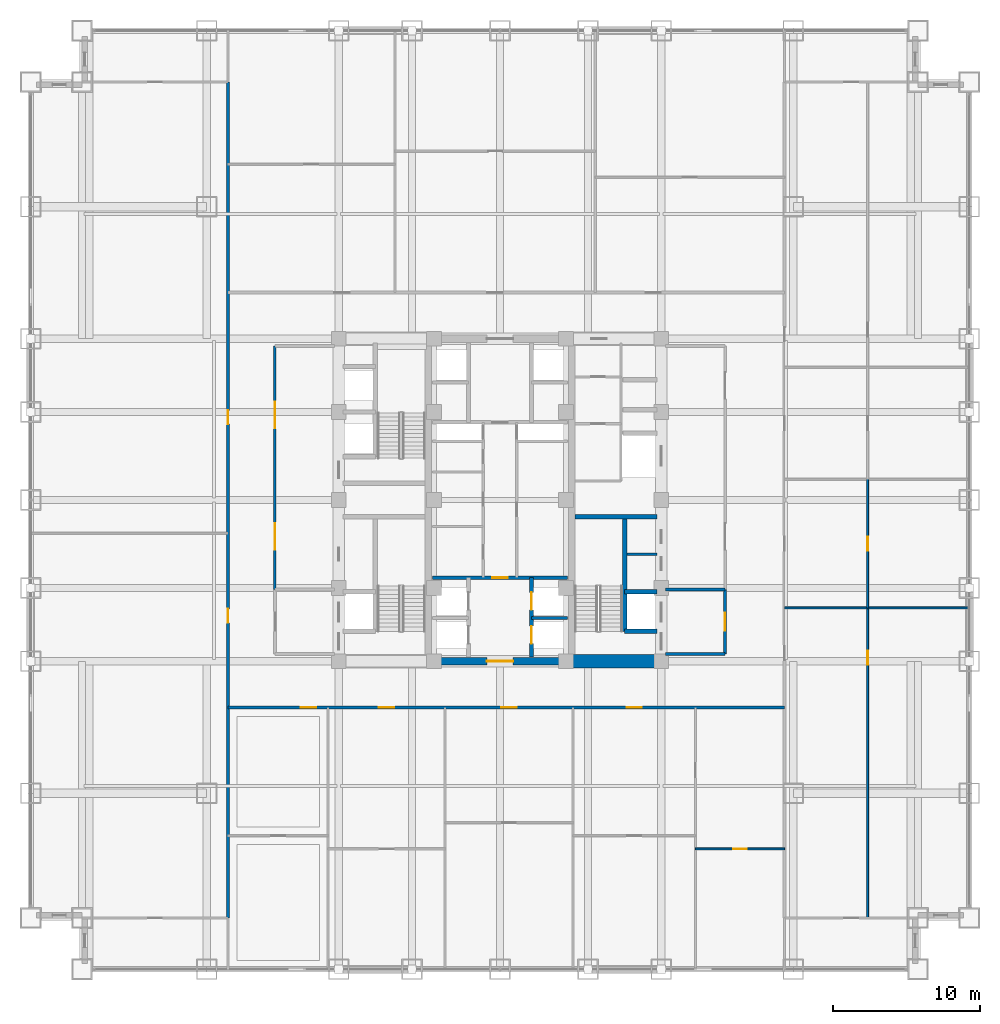
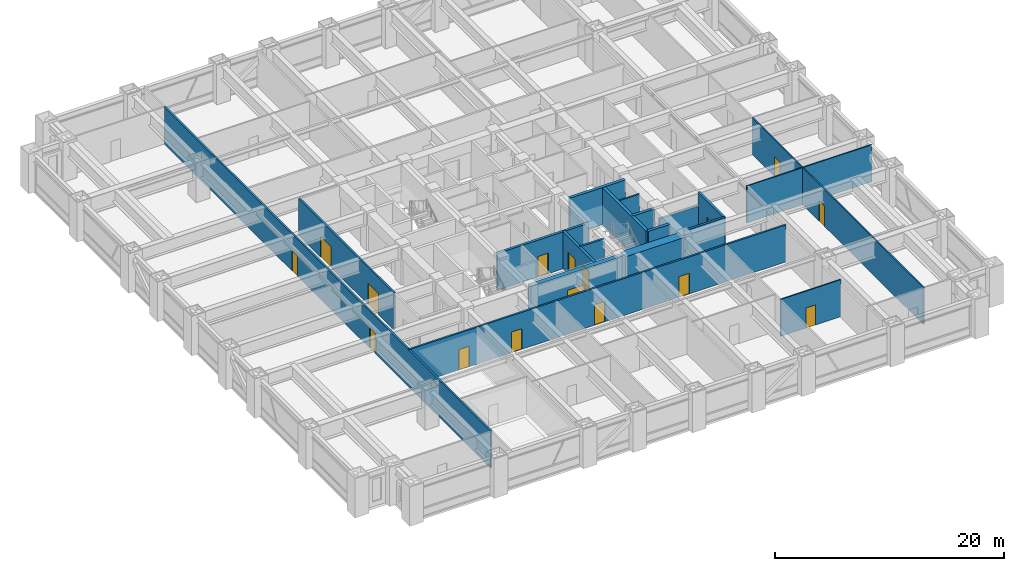
# One storey, part 24 of 29: 20 walls, 16 doors, 16 openings.
"""IFC4 building model written with IfcOpenShell, lengths in metres."""

from ifc_helpers import new_model, si_unit, direction, frame, frame_2d, origin, place, context, subcontext, project, spatial, rectangle, extrude, source, transform, mapped, material, layer, layer_set, type_object, element, fill, save


model = new_model("IFC4")

# Units and contexts
model_context = context("Model", 3, precision=1e-05, world=origin(), true_north=direction((0.0, 1.0)))
body_context = subcontext(model_context, "Body", "Model", "MODEL_VIEW")
ifc_project = project(units=[si_unit("LENGTHUNIT", "METRE"), si_unit("AREAUNIT", "SQUARE_METRE"), si_unit("VOLUMEUNIT", "CUBIC_METRE"), si_unit("PLANEANGLEUNIT", "RADIAN"), si_unit("MASSUNIT", "GRAM", prefix="KILO")], contexts=[model_context])

# Site, building, storey
site_placement = place(None, origin())
site = spatial("IfcSite", under=ifc_project, at=site_placement, CompositionType="ELEMENT")
building_placement = place(site_placement, origin())
building = spatial("IfcBuilding", under=site, at=building_placement, Name="Khorayat Bourse Tower", CompositionType="ELEMENT")
storey_placement = place(building_placement, frame((0.0, 0.0, 87.199951171875)))
storey = spatial("IfcBuildingStorey", under=building, at=storey_placement, Name="L19", CompositionType="ELEMENT", Elevation=87.199951171875)

# Walls
ifc_material_1 = material(Name="Concrete C72/90", Category="concrete")
ifc_layer_1 = layer(ifc_material_1, 0.89990234375)
ifc_layer_set_1 = layer_set([ifc_layer_1], Name="Concrete C72/90")
wall_type_1 = type_object("IfcWallType", Name="WAL-CORE-900", PredefinedType="SHEAR", material=ifc_layer_set_1)
shared_shape_1 = source(origin(), body_context, "Body", "SweptSolid", [
    extrude(rectangle(XDim=5.849853515625, YDim=0.89990234375, at=frame_2d((2.9248046875, 0.0))), origin(), (0.0, 0.0, 1.0), 3.93994140625),
])
wall_1_placement = place(storey_placement, frame((4.85009765625, -11.0, 0.0), z_axis=(0.0, 0.0, 1.0), x_axis=(1.0, 0.0, 0.0)))
element("IfcWall", 1, at=wall_1_placement, inside=storey, type_object=wall_type_1, Name="L19 Core Shear Wall PIER-ES", PredefinedType="SHEAR", context=body_context, shape_type="MappedRepresentation", body=[
    mapped(shared_shape_1, transform((0.0, 0.0, 0.0), scale=1.0)),
])
ifc_material_2 = material(Name="Concrete C50/60", Category="concrete")
ifc_layer_2 = layer(ifc_material_2, 0.300048828125)
ifc_layer_set_2 = layer_set([ifc_layer_2], Name="Concrete C50/60")
wall_type_2 = type_object("IfcWallType", Name="WAL-SHAFT-300", PredefinedType="SHEAR", material=ifc_layer_set_2)
shared_shape_2 = source(origin(), body_context, "Body", "SweptSolid", [
    extrude(rectangle(XDim=5.599853515625, YDim=0.300048828125, at=frame_2d((2.7998046875, 0.0))), origin(), (0.0, 0.0, 1.0), 3.93994140625),
])
wall_2_placement = place(storey_placement, frame((5.10009765625, -1.14990234375, 0.0), z_axis=(0.0, 0.0, 1.0), x_axis=(1.0, 0.0, 0.0)))
element("IfcWall", 2, at=wall_2_placement, inside=storey, type_object=wall_type_2, Name="L19 Core Shear Wall ST3-DIV", PredefinedType="SHEAR", context=body_context, shape_type="MappedRepresentation", body=[
    mapped(shared_shape_2, transform((0.0, 0.0, 0.0), scale=1.0)),
])

# Wall, opening, door
ifc_material_3 = material(Name="Concrete C52/65", Category="concrete")
ifc_layer_3 = layer(ifc_material_3, 0.5)
ifc_layer_set_3 = layer_set([ifc_layer_3], Name="Concrete C52/65")
wall_type_3 = type_object("IfcWallType", Name="WAL-CORE-500", PredefinedType="SHEAR", material=ifc_layer_set_3)
shared_shape_3 = source(origin(), body_context, "Body", "SweptSolid", [
    extrude(rectangle(XDim=9.2001953125, YDim=0.5, at=frame_2d((4.60009765625, 0.0))), origin(), (0.0, 0.0, 1.0), 3.93994140625),
])
wall_3_placement = place(storey_placement, frame((-4.60009765625, -11.0, 0.0), z_axis=(0.0, 0.0, 1.0), x_axis=(1.0, 0.0, 0.0)))
wall_3 = element("IfcWall", 3, at=wall_3_placement, inside=storey, type_object=wall_type_3, Name="L19 Core Shear Wall CORE-S", PredefinedType="SHEAR", context=body_context, shape_type="MappedRepresentation", body=[
    mapped(shared_shape_3, transform((0.0, 0.0, 0.0), scale=1.0)),
])
shared_shape_4 = source(origin(), body_context, "Body", "SweptSolid", [
    extrude(rectangle(XDim=1.800048828125, YDim=2.25, at=frame_2d((0.89990234375, 1.125))), frame((0.0, 0.260009765625, 0.0), z_axis=(0.0, -1.0, 0.0), x_axis=(1.0, 0.0, 0.0)), (0.0, 0.0, 1.0), 0.52001953125),
])
opening_1_placement = place(wall_3_placement, frame((3.699951171875, 0.0, 0.0)))
opening_1 = element("IfcOpeningElement", 4, at=opening_1_placement, cuts=wall_3, Name="Opening DI-03", PredefinedType="OPENING", context=body_context, shape_type="MappedRepresentation", body=[
    mapped(shared_shape_4, transform((0.0, 0.0, 0.0), scale=1.0)),
])
ifc_material_4 = material(Name="Fire-rated hardwood vision-panel double leaf", Category="wood")
door_type_1 = type_object("IfcDoorType", Name="DR-INT-CORR-1800", OperationType="NOTDEFINED", PredefinedType="DOOR", material=ifc_material_4)
shared_shape_5 = source(origin(), body_context, "Body", "SweptSolid", [
    extrude(rectangle(XDim=1.800048828125, YDim=2.25, at=frame_2d((0.89990234375, 1.125))), frame((0.0, 0.02490234375, 0.0), z_axis=(0.0, -1.0, 0.0), x_axis=(1.0, 0.0, 0.0)), (0.0, 0.0, 1.0), 0.050048828125),
])
door_1_placement = place(opening_1_placement, origin())
door_1 = element("IfcDoor", 5, at=door_1_placement, inside=storey, type_object=door_type_1, Name="L19 Low-Rise Lift Lobby Door", OperationType="SINGLE_SWING_LEFT", OverallHeight=2.25, OverallWidth=1.800048828125, PredefinedType="DOOR", context=body_context, shape_type="MappedRepresentation", body=[
    mapped(shared_shape_5, transform((0.0, 0.0, 0.0), scale=1.0)),
])
fill(opening_1, door_1)

# Walls
shared_shape_6 = source(origin(), body_context, "Body", "SweptSolid", [
    extrude(rectangle(XDim=7.800048828125, YDim=0.300048828125, at=frame_2d((3.89990234375, 0.0))), origin(), (0.0, 0.0, 1.0), 3.93994140625),
])
wall_4_placement = place(storey_placement, frame((8.5, -8.949951171875, 0.0), z_axis=(0.0, 0.0, 1.0), x_axis=(0.0, 1.0, 0.0)))
element("IfcWall", 6, at=wall_4_placement, inside=storey, type_object=wall_type_2, Name="L19 Partition WAL-L19-EPIER-SP", PredefinedType="SHEAR", context=body_context, shape_type="MappedRepresentation", body=[
    mapped(shared_shape_6, transform((0.0, 0.0, 0.0), scale=1.0)),
])
shared_shape_7 = source(origin(), body_context, "Body", "SweptSolid", [
    extrude(rectangle(XDim=2.199951171875, YDim=0.300048828125, at=frame_2d((1.10009765625, 0.0))), origin(), (0.0, 0.0, 1.0), 3.93994140625),
])
for number, where, z_axis, x_axis, name in (
    (7, (8.5, -8.949951171875, 0.0), (0.0, 0.0, 1.0), (1.0, 0.0, 0.0), "L19 Partition WAL-L19-EPIER-FF2S"),
    (8, (8.5, -6.25, 0.0), (0.0, 0.0, 1.0), (1.0, 0.0, 0.0), "L19 Partition WAL-L19-EPIER-FF2N"),
):
    element("IfcWall", number, at=place(storey_placement, frame(where, z_axis=z_axis, x_axis=x_axis)), inside=storey, type_object=wall_type_2, Name=name, PredefinedType="SHEAR", context=body_context, shape_type="MappedRepresentation", body=[
        mapped(shared_shape_7, transform((0.0, 0.0, 0.0), scale=1.0)),
    ])
ifc_material_5 = material(Name="Gypsum plasterboard twin-frame partition")
ifc_layer_4 = layer(ifc_material_5, 0.14990234375)
ifc_layer_set_4 = layer_set([ifc_layer_4], Name="Gypsum plasterboard twin-frame partition")
wall_type_4 = type_object("IfcWallType", Name="WAL-PART-SUITE-150", PredefinedType="PARTITIONING", material=ifc_layer_set_4)
shared_shape_8 = source(origin(), body_context, "Body", "SweptSolid", [
    extrude(rectangle(XDim=2.050048828125, YDim=0.14990234375, at=frame_2d((1.02490234375, 0.0))), origin(), (0.0, 0.0, 1.0), 3.93994140625),
])
wall_5_placement = place(storey_placement, frame((8.64990234375, -3.699951171875, 0.0), z_axis=(0.0, 0.0, 1.0), x_axis=(1.0, 0.0, 0.0)))
element("IfcWall", 9, at=wall_5_placement, inside=storey, type_object=wall_type_4, Name="L19 Partition WAL-L19-ESRV-D1", PredefinedType="PARTITIONING", context=body_context, shape_type="MappedRepresentation", body=[
    mapped(shared_shape_8, transform((0.0, 0.0, 0.0), scale=1.0)),
])
ifc_material_6 = material(Name="Aerated concrete blockwork", Category="masonry")
ifc_layer_5 = layer(ifc_material_6, 0.219970703125)
ifc_layer_set_5 = layer_set([ifc_layer_5], Name="Aerated concrete blockwork")
wall_type_5 = type_object("IfcWallType", Name="WAL-PART-FF-220", PredefinedType="PARTITIONING", material=ifc_layer_set_5)
shared_shape_9 = source(origin(), body_context, "Body", "SweptSolid", [
    extrude(rectangle(XDim=4.050048828125, YDim=0.219970703125, at=frame_2d((2.02490234375, 0.0))), origin(), (0.0, 0.0, 1.0), 3.93994140625),
])
wall_6_placement = place(storey_placement, frame((11.300048828125, -10.5, 0.0), z_axis=(0.0, 0.0, 1.0), x_axis=(1.0, 0.0, 0.0)))
element("IfcWall", 10, at=wall_6_placement, inside=storey, type_object=wall_type_5, Name="L19 Partition WAL-L19-FFLE-S", PredefinedType="PARTITIONING", context=body_context, shape_type="MappedRepresentation", body=[
    mapped(shared_shape_9, transform((0.0, 0.0, 0.0), scale=1.0)),
])

# Wall, opening, door
shared_shape_10 = source(origin(), body_context, "Body", "SweptSolid", [
    extrude(rectangle(XDim=4.39990234375, YDim=0.219970703125, at=frame_2d((2.199951171875, 0.0))), origin(), (0.0, 0.0, 1.0), 3.93994140625),
])
wall_7_placement = place(storey_placement, frame((15.35009765625, -10.5, 0.0), z_axis=(0.0, 0.0, 1.0), x_axis=(0.0, 1.0, 0.0)))
wall_7 = element("IfcWall", 11, at=wall_7_placement, inside=storey, type_object=wall_type_5, Name="L19 Partition WAL-L19-FFLE-E", PredefinedType="PARTITIONING", context=body_context, shape_type="MappedRepresentation", body=[
    mapped(shared_shape_10, transform((0.0, 0.0, 0.0), scale=1.0)),
])
shared_shape_11 = source(origin(), body_context, "Body", "SweptSolid", [
    extrude(rectangle(XDim=1.199951171875, YDim=2.199951171875, at=frame_2d((0.60009765625, 1.10009765625))), frame((0.0, 0.119873046875, 0.0), z_axis=(0.0, -1.0, 0.0), x_axis=(1.0, 0.0, 0.0)), (0.0, 0.0, 1.0), 0.239990234375),
])
opening_2_placement = place(wall_7_placement, frame((1.60009765625, 0.0, 0.0)))
opening_2 = element("IfcOpeningElement", 12, at=opening_2_placement, cuts=wall_7, Name="Opening DI-02", PredefinedType="OPENING", context=body_context, shape_type="MappedRepresentation", body=[
    mapped(shared_shape_11, transform((0.0, 0.0, 0.0), scale=1.0)),
])
ifc_material_7 = material(Name="Fire-rated steel double-seal leaf", Category="steel")
door_type_2 = type_object("IfcDoorType", Name="DR-INT-FFLOBBY-1200", OperationType="NOTDEFINED", PredefinedType="DOOR", material=ifc_material_7)
shared_shape_12 = source(origin(), body_context, "Body", "SweptSolid", [
    extrude(rectangle(XDim=1.199951171875, YDim=2.199951171875, at=frame_2d((0.60009765625, 1.10009765625))), frame((0.0, 0.02490234375, 0.0), z_axis=(0.0, -1.0, 0.0), x_axis=(1.0, 0.0, 0.0)), (0.0, 0.0, 1.0), 0.050048828125),
])
door_2_placement = place(opening_2_placement, origin())
door_2 = element("IfcDoor", 13, at=door_2_placement, inside=storey, type_object=door_type_2, Name="L19 East Firefighting Lobby Door", OperationType="SINGLE_SWING_RIGHT", OverallHeight=2.199951171875, OverallWidth=1.199951171875, PredefinedType="DOOR", context=body_context, shape_type="MappedRepresentation", body=[
    mapped(shared_shape_12, transform((0.0, 0.0, 0.0), scale=1.0)),
])
fill(opening_2, door_2)

# Wall, openings, doors
ifc_material_8 = material(Name="Gypsum plasterboard acoustic stud wall")
ifc_layer_6 = layer(ifc_material_8, 0.179931640625)
ifc_layer_set_6 = layer_set([ifc_layer_6], Name="Gypsum plasterboard acoustic stud wall")
wall_type_6 = type_object("IfcWallType", Name="WAL-PART-CORR-180", PredefinedType="PARTITIONING", material=ifc_layer_set_6)
shared_shape_13 = source(origin(), body_context, "Body", "SweptSolid", [
    extrude(rectangle(XDim=16.60009765625, YDim=0.179931640625, at=frame_2d((8.300048828125, 0.0))), origin(), (0.0, 0.0, 1.0), 3.93994140625),
])
wall_8_placement = place(storey_placement, frame((-15.35009765625, -6.10009765625, 0.0), z_axis=(0.0, 0.0, 1.0), x_axis=(0.0, 1.0, 0.0)))
wall_8 = element("IfcWall", 14, at=wall_8_placement, inside=storey, type_object=wall_type_6, Name="L19 Partition WAL-L19-WLOB-W", PredefinedType="PARTITIONING", context=body_context, shape_type="MappedRepresentation", body=[
    mapped(shared_shape_13, transform((0.0, 0.0, 0.0), scale=1.0)),
])
shared_shape_14 = source(origin(), body_context, "Body", "SweptSolid", [
    extrude(rectangle(XDim=1.800048828125, YDim=2.25, at=frame_2d((0.89990234375, 1.125))), frame((0.0, 0.099853515625, 0.0), z_axis=(0.0, -1.0, 0.0), x_axis=(1.0, 0.0, 0.0)), (0.0, 0.0, 1.0), 0.199951171875),
])
opening_3_placement = place(wall_8_placement, frame((2.699951171875, 0.0, 0.0)))
opening_3 = element("IfcOpeningElement", 15, at=opening_3_placement, cuts=wall_8, Name="Opening DI-03", PredefinedType="OPENING", context=body_context, shape_type="MappedRepresentation", body=[
    mapped(shared_shape_14, transform((0.0, 0.0, 0.0), scale=1.0)),
])
opening_4_placement = place(wall_8_placement, frame((11.0, 0.0, 0.0)))
opening_4 = element("IfcOpeningElement", 16, at=opening_4_placement, cuts=wall_8, Name="Opening DI-03", PredefinedType="OPENING", context=body_context, shape_type="MappedRepresentation", body=[
    mapped(shared_shape_14, transform((0.0, 0.0, 0.0), scale=1.0)),
])
door_3_placement = place(opening_3_placement, origin())
door_3 = element("IfcDoor", 17, at=door_3_placement, inside=storey, type_object=door_type_1, Name="L19 West Core Lobby South Door", OperationType="SINGLE_SWING_LEFT", OverallHeight=2.25, OverallWidth=1.800048828125, PredefinedType="DOOR", context=body_context, shape_type="MappedRepresentation", body=[
    mapped(shared_shape_5, transform((0.0, 0.0, 0.0), scale=1.0)),
])
fill(opening_3, door_3)
door_4_placement = place(opening_4_placement, origin())
door_4 = element("IfcDoor", 18, at=door_4_placement, inside=storey, type_object=door_type_1, Name="L19 West Core Lobby North Door", OperationType="SINGLE_SWING_RIGHT", OverallHeight=2.25, OverallWidth=1.800048828125, PredefinedType="DOOR", context=body_context, shape_type="MappedRepresentation", body=[
    mapped(shared_shape_5, transform((0.0, 0.0, 0.0), scale=1.0)),
])
fill(opening_4, door_4)

shared_shape_15 = source(origin(), body_context, "Body", "SweptSolid", [
    extrude(rectangle(XDim=5.39990234375, YDim=0.25, at=frame_2d((2.699951171875, 0.0))), origin(), (0.0, 0.0, 1.0), 3.93994140625),
])
wall_9_placement = place(storey_placement, frame((2.14990234375, -10.699951171875, 0.0), z_axis=(0.0, 0.0, 1.0), x_axis=(0.0, 1.0, 0.0)))
wall_9 = element("IfcWall", 19, at=wall_9_placement, inside=storey, type_object=wall_type_2, Name="L19 Partition WAL-L19-B1-E", PredefinedType="SHEAR", context=body_context, shape_type="MappedRepresentation", body=[
    mapped(shared_shape_15, transform((0.0, 0.0, 0.0), scale=1.0)),
])
shared_shape_16 = source(origin(), body_context, "Body", "SweptSolid", [
    extrude(rectangle(XDim=1.199951171875, YDim=2.300048828125, at=frame_2d((0.60009765625, 1.14990234375))), frame((0.0, 0.135009765625, 0.0), z_axis=(0.0, -1.0, 0.0), x_axis=(1.0, 0.0, 0.0)), (0.0, 0.0, 1.0), 0.27001953125),
])
opening_5_placement = place(wall_9_placement, frame((0.89990234375, 0.0, 0.0)))
opening_5 = element("IfcOpeningElement", 20, at=opening_5_placement, cuts=wall_9, Name="Opening LD-01", PredefinedType="OPENING", context=body_context, shape_type="MappedRepresentation", body=[
    mapped(shared_shape_16, transform((0.0, 0.0, 0.0), scale=1.0)),
])
opening_6_placement = place(wall_9_placement, frame((3.199951171875, 0.0, 0.0)))
opening_6 = element("IfcOpeningElement", 21, at=opening_6_placement, cuts=wall_9, Name="Opening LD-01", PredefinedType="OPENING", context=body_context, shape_type="MappedRepresentation", body=[
    mapped(shared_shape_16, transform((0.0, 0.0, 0.0), scale=1.0)),
])
ifc_material_9 = material(Name="Brushed bronze stainless-steel sliding door", Category="steel")
door_type_3 = type_object("IfcDoorType", Name="DR-LIFT-PASS-1200", OperationType="NOTDEFINED", PredefinedType="DOOR", material=ifc_material_9)
shared_shape_17 = source(origin(), body_context, "Body", "SweptSolid", [
    extrude(rectangle(XDim=1.199951171875, YDim=2.300048828125, at=frame_2d((0.60009765625, 1.14990234375))), frame((0.0, 0.02490234375, 0.0), z_axis=(0.0, -1.0, 0.0), x_axis=(1.0, 0.0, 0.0)), (0.0, 0.0, 1.0), 0.050048828125),
])
door_5_placement = place(opening_5_placement, origin())
door_5 = element("IfcDoor", 22, at=door_5_placement, inside=storey, type_object=door_type_3, Name="L19 Lift PL-L2 Sliding Landing Door", OperationType="SLIDING_TO_LEFT", OverallHeight=2.300048828125, OverallWidth=1.199951171875, PredefinedType="DOOR", context=body_context, shape_type="MappedRepresentation", body=[
    mapped(shared_shape_17, transform((0.0, 0.0, 0.0), scale=1.0)),
])
fill(opening_5, door_5)
door_6_placement = place(opening_6_placement, origin())
door_6 = element("IfcDoor", 23, at=door_6_placement, inside=storey, type_object=door_type_3, Name="L19 Lift PL-L4 Sliding Landing Door", OperationType="SLIDING_TO_LEFT", OverallHeight=2.300048828125, OverallWidth=1.199951171875, PredefinedType="DOOR", context=body_context, shape_type="MappedRepresentation", body=[
    mapped(shared_shape_17, transform((0.0, 0.0, 0.0), scale=1.0)),
])
fill(opening_6, door_6)

# Wall
shared_shape_18 = source(origin(), body_context, "Body", "SweptSolid", [
    extrude(rectangle(XDim=2.4501953125, YDim=0.199951171875, at=frame_2d((1.22509765625, 0.0))), origin(), (0.0, 0.0, 1.0), 3.93994140625),
])
wall_10_placement = place(storey_placement, frame((2.14990234375, -8.050048828125, 0.0), z_axis=(0.0, 0.0, 1.0), x_axis=(1.0, 0.0, 0.0)))
element("IfcWall", 24, at=wall_10_placement, inside=storey, type_object=wall_type_2, Name="L19 Partition WAL-L19-B1-ME", PredefinedType="SHEAR", context=body_context, shape_type="MappedRepresentation", body=[
    mapped(shared_shape_18, transform((0.0, 0.0, 0.0), scale=1.0)),
])

# Wall, opening, door
shared_shape_19 = source(origin(), body_context, "Body", "SweptSolid", [
    extrude(rectangle(XDim=9.2001953125, YDim=0.25, at=frame_2d((4.60009765625, 0.0))), origin(), (0.0, 0.0, 1.0), 3.93994140625),
])
wall_11_placement = place(storey_placement, frame((-4.60009765625, -5.300048828125, 0.0), z_axis=(0.0, 0.0, 1.0), x_axis=(1.0, 0.0, 0.0)))
wall_11 = element("IfcWall", 25, at=wall_11_placement, inside=storey, type_object=wall_type_2, Name="L19 Partition WAL-L19-B1-N", PredefinedType="SHEAR", context=body_context, shape_type="MappedRepresentation", body=[
    mapped(shared_shape_19, transform((0.0, 0.0, 0.0), scale=1.0)),
])
shared_shape_20 = source(origin(), body_context, "Body", "SweptSolid", [
    extrude(rectangle(XDim=1.050048828125, YDim=2.199951171875, at=frame_2d((0.52490234375, 1.10009765625))), frame((0.0, 0.135009765625, 0.0), z_axis=(0.0, -1.0, 0.0), x_axis=(1.0, 0.0, 0.0)), (0.0, 0.0, 1.0), 0.27001953125),
])
opening_7_placement = place(wall_11_placement, frame((4.074951171875, 0.0, 0.0)))
opening_7 = element("IfcOpeningElement", 26, at=opening_7_placement, cuts=wall_11, Name="Opening DI-04", PredefinedType="OPENING", context=body_context, shape_type="MappedRepresentation", body=[
    mapped(shared_shape_20, transform((0.0, 0.0, 0.0), scale=1.0)),
])
ifc_material_10 = material(Name="Fire-rated oak veneer suite entrance door")
door_type_4 = type_object("IfcDoorType", Name="DR-INT-SUITE-1050", OperationType="NOTDEFINED", PredefinedType="DOOR", material=ifc_material_10)
shared_shape_21 = source(origin(), body_context, "Body", "SweptSolid", [
    extrude(rectangle(XDim=1.050048828125, YDim=2.199951171875, at=frame_2d((0.52490234375, 1.10009765625))), frame((0.0, 0.02490234375, 0.0), z_axis=(0.0, -1.0, 0.0), x_axis=(1.0, 0.0, 0.0)), (0.0, 0.0, 1.0), 0.050048828125),
])
door_7_placement = place(opening_7_placement, origin())
door_7 = element("IfcDoor", 27, at=door_7_placement, inside=storey, type_object=door_type_4, Name="L19 Core Spine South Door", OperationType="SINGLE_SWING_LEFT", OverallHeight=2.199951171875, OverallWidth=1.050048828125, PredefinedType="DOOR", context=body_context, shape_type="MappedRepresentation", body=[
    mapped(shared_shape_21, transform((0.0, 0.0, 0.0), scale=1.0)),
])
fill(opening_7, door_7)

# Wall, openings, doors
shared_shape_22 = source(origin(), body_context, "Body", "SweptSolid", [
    extrude(rectangle(XDim=57.0, YDim=0.179931640625, at=frame_2d((28.5, 0.0))), origin(), (0.0, 0.0, 1.0), 3.93994140625),
])
wall_12_placement = place(storey_placement, frame((-18.550048828125, -28.5, 0.0), z_axis=(0.0, 0.0, 1.0), x_axis=(0.0, 1.0, 0.0)))
wall_12 = element("IfcWall", 28, at=wall_12_placement, inside=storey, type_object=wall_type_6, Name="L19 Partition WAL-L19-WCORR", PredefinedType="PARTITIONING", context=body_context, shape_type="MappedRepresentation", body=[
    mapped(shared_shape_22, transform((0.0, 0.0, 0.0), scale=1.0)),
])
shared_shape_23 = source(origin(), body_context, "Body", "SweptSolid", [
    extrude(rectangle(XDim=0.949951171875, YDim=2.14990234375, at=frame_2d((0.47509765625, 1.074951171875))), frame((0.0, 0.099853515625, 0.0), z_axis=(0.0, -1.0, 0.0), x_axis=(1.0, 0.0, 0.0)), (0.0, 0.0, 1.0), 0.199951171875),
])
opening_8_placement = place(wall_12_placement, frame((20.117919921875, 0.0, 0.0)))
opening_8 = element("IfcOpeningElement", 29, at=opening_8_placement, cuts=wall_12, Name="Opening DI-05", PredefinedType="OPENING", context=body_context, shape_type="MappedRepresentation", body=[
    mapped(shared_shape_23, transform((0.0, 0.0, 0.0), scale=1.0)),
])
opening_9_placement = place(wall_12_placement, frame((33.66796875, 0.0, 0.0)))
opening_9 = element("IfcOpeningElement", 30, at=opening_9_placement, cuts=wall_12, Name="Opening DI-05", PredefinedType="OPENING", context=body_context, shape_type="MappedRepresentation", body=[
    mapped(shared_shape_23, transform((0.0, 0.0, 0.0), scale=1.0)),
])
ifc_material_11 = material(Name="Acoustic oak veneer office door")
door_type_5 = type_object("IfcDoorType", Name="DR-INT-OFFICE-950", OperationType="NOTDEFINED", PredefinedType="DOOR", material=ifc_material_11)
shared_shape_24 = source(origin(), body_context, "Body", "SweptSolid", [
    extrude(rectangle(XDim=0.949951171875, YDim=2.14990234375, at=frame_2d((0.47509765625, 1.074951171875))), frame((0.0, 0.02490234375, 0.0), z_axis=(0.0, -1.0, 0.0), x_axis=(1.0, 0.0, 0.0)), (0.0, 0.0, 1.0), 0.050048828125),
])
door_8_placement = place(opening_8_placement, origin())
door_8 = element("IfcDoor", 31, at=door_8_placement, inside=storey, type_object=door_type_5, Name="L19 Executive Wellness Fitness Gym W1 Door", OperationType="SINGLE_SWING_RIGHT", OverallHeight=2.14990234375, OverallWidth=0.949951171875, PredefinedType="DOOR", context=body_context, shape_type="MappedRepresentation", body=[
    mapped(shared_shape_24, transform((0.0, 0.0, 0.0), scale=1.0)),
])
fill(opening_8, door_8)
door_9_placement = place(opening_9_placement, origin())
door_9 = element("IfcDoor", 32, at=door_9_placement, inside=storey, type_object=door_type_5, Name="L19 Issuer Listing Showroom W2 Door", OperationType="SINGLE_SWING_LEFT", OverallHeight=2.14990234375, OverallWidth=0.949951171875, PredefinedType="DOOR", context=body_context, shape_type="MappedRepresentation", body=[
    mapped(shared_shape_24, transform((0.0, 0.0, 0.0), scale=1.0)),
])
fill(opening_9, door_9)

shared_shape_25 = source(origin(), body_context, "Body", "SweptSolid", [
    extrude(rectangle(XDim=37.949951171875, YDim=0.179931640625, at=frame_2d((18.97509765625, 0.0))), origin(), (0.0, 0.0, 1.0), 3.93994140625),
])
wall_13_placement = place(storey_placement, frame((-18.550048828125, -14.14990234375, 0.0), z_axis=(0.0, 0.0, 1.0), x_axis=(1.0, 0.0, 0.0)))
wall_13 = element("IfcWall", 33, at=wall_13_placement, inside=storey, type_object=wall_type_6, Name="L19 Partition WAL-L19-SCORR", PredefinedType="PARTITIONING", context=body_context, shape_type="MappedRepresentation", body=[
    mapped(shared_shape_25, transform((0.0, 0.0, 0.0), scale=1.0)),
])
shared_shape_26 = source(origin(), body_context, "Body", "SweptSolid", [
    extrude(rectangle(XDim=1.050048828125, YDim=2.199951171875, at=frame_2d((0.52490234375, 1.10009765625))), frame((0.0, 0.099853515625, 0.0), z_axis=(0.0, -1.0, 0.0), x_axis=(1.0, 0.0, 0.0)), (0.0, 0.0, 1.0), 0.199951171875),
])
opening_10_placement = place(wall_13_placement, frame((4.965576171875, 0.0, 0.0)))
opening_10 = element("IfcOpeningElement", 34, at=opening_10_placement, cuts=wall_13, Name="Opening DI-04", PredefinedType="OPENING", context=body_context, shape_type="MappedRepresentation", body=[
    mapped(shared_shape_26, transform((0.0, 0.0, 0.0), scale=1.0)),
])
opening_11_placement = place(wall_13_placement, frame((10.290771484375, 0.0, 0.0)))
opening_11 = element("IfcOpeningElement", 35, at=opening_11_placement, cuts=wall_13, Name="Opening DI-04", PredefinedType="OPENING", context=body_context, shape_type="MappedRepresentation", body=[
    mapped(shared_shape_26, transform((0.0, 0.0, 0.0), scale=1.0)),
])
opening_12_placement = place(wall_13_placement, frame((18.639892578125, 0.0, 0.0)))
opening_12 = element("IfcOpeningElement", 36, at=opening_12_placement, cuts=wall_13, Name="Opening DI-04", PredefinedType="OPENING", context=body_context, shape_type="MappedRepresentation", body=[
    mapped(shared_shape_26, transform((0.0, 0.0, 0.0), scale=1.0)),
])
opening_13_placement = place(wall_13_placement, frame((27.178466796875, 0.0, 0.0)))
opening_13 = element("IfcOpeningElement", 37, at=opening_13_placement, cuts=wall_13, Name="Opening DI-04", PredefinedType="OPENING", context=body_context, shape_type="MappedRepresentation", body=[
    mapped(shared_shape_26, transform((0.0, 0.0, 0.0), scale=1.0)),
])
door_10_placement = place(opening_10_placement, origin())
door_10 = element("IfcDoor", 38, at=door_10_placement, inside=storey, type_object=door_type_4, Name="L19 Members Exchange Lounge S1 Door", OperationType="SINGLE_SWING_RIGHT", OverallHeight=2.199951171875, OverallWidth=1.050048828125, PredefinedType="DOOR", context=body_context, shape_type="MappedRepresentation", body=[
    mapped(shared_shape_21, transform((0.0, 0.0, 0.0), scale=1.0)),
])
fill(opening_10, door_10)
door_11_placement = place(opening_11_placement, origin())
door_11 = element("IfcDoor", 39, at=door_11_placement, inside=storey, type_object=door_type_4, Name="L19 Members Club Room S2 Door", OperationType="SINGLE_SWING_LEFT", OverallHeight=2.199951171875, OverallWidth=1.050048828125, PredefinedType="DOOR", context=body_context, shape_type="MappedRepresentation", body=[
    mapped(shared_shape_21, transform((0.0, 0.0, 0.0), scale=1.0)),
])
fill(opening_11, door_11)
door_12_placement = place(opening_12_placement, origin())
door_12 = element("IfcDoor", 40, at=door_12_placement, inside=storey, type_object=door_type_4, Name="L19 Issuer Listing Showroom S3 Door", OperationType="SINGLE_SWING_RIGHT", OverallHeight=2.199951171875, OverallWidth=1.050048828125, PredefinedType="DOOR", context=body_context, shape_type="MappedRepresentation", body=[
    mapped(shared_shape_21, transform((0.0, 0.0, 0.0), scale=1.0)),
])
fill(opening_12, door_12)
door_13_placement = place(opening_13_placement, origin())
door_13 = element("IfcDoor", 41, at=door_13_placement, inside=storey, type_object=door_type_4, Name="L19 Catering Servery Kitchen S4 Door", OperationType="SINGLE_SWING_LEFT", OverallHeight=2.199951171875, OverallWidth=1.050048828125, PredefinedType="DOOR", context=body_context, shape_type="MappedRepresentation", body=[
    mapped(shared_shape_21, transform((0.0, 0.0, 0.0), scale=1.0)),
])
fill(opening_13, door_13)

# Wall
ifc_material_12 = material(Name="Gypsum plasterboard partition")
ifc_layer_7 = layer(ifc_material_12, 0.125)
ifc_layer_set_7 = layer_set([ifc_layer_7], Name="Gypsum plasterboard partition")
wall_type_7 = type_object("IfcWallType", Name="WAL-PART-ROOM-125", PredefinedType="PARTITIONING", material=ifc_layer_set_7)
shared_shape_27 = source(origin(), body_context, "Body", "SweptSolid", [
    extrude(rectangle(XDim=12.60009765625, YDim=0.125, at=frame_2d((6.300048828125, 0.0))), origin(), (0.0, 0.0, 1.0), 3.93994140625),
])
wall_14_placement = place(storey_placement, frame((19.39990234375, -7.35791015625, 0.0), z_axis=(0.0, 0.0, 1.0), x_axis=(1.0, 0.0, 0.0)))
element("IfcWall", 42, at=wall_14_placement, inside=storey, type_object=wall_type_7, Name="L19 Partition WAL-L19-EDV-1", PredefinedType="PARTITIONING", context=body_context, shape_type="MappedRepresentation", body=[
    mapped(shared_shape_27, transform((0.0, 0.0, 0.0), scale=1.0)),
])

# Wall, opening, door
shared_shape_28 = source(origin(), body_context, "Body", "SweptSolid", [
    extrude(rectangle(XDim=6.072021484375, YDim=0.125, at=frame_2d((3.0361328125, 0.0))), origin(), (0.0, 0.0, 1.0), 3.93994140625),
])
wall_15_placement = place(storey_placement, frame((13.327880859375, -23.7890625, 0.0), z_axis=(0.0, 0.0, 1.0), x_axis=(1.0, 0.0, 0.0)))
wall_15 = element("IfcWall", 43, at=wall_15_placement, inside=storey, type_object=wall_type_7, Name="L19 Partition WAL-L19-SDP-5", PredefinedType="PARTITIONING", context=body_context, shape_type="MappedRepresentation", body=[
    mapped(shared_shape_28, transform((0.0, 0.0, 0.0), scale=1.0)),
])
shared_shape_29 = source(origin(), body_context, "Body", "SweptSolid", [
    extrude(rectangle(XDim=0.949951171875, YDim=2.14990234375, at=frame_2d((0.47509765625, 1.074951171875))), frame((0.0, 0.072509765625, 0.0), z_axis=(0.0, -1.0, 0.0), x_axis=(1.0, 0.0, 0.0)), (0.0, 0.0, 1.0), 0.14501953125),
])
opening_14_placement = place(wall_15_placement, frame((2.56103515625, 0.0, 0.0)))
opening_14 = element("IfcOpeningElement", 44, at=opening_14_placement, cuts=wall_15, Name="Opening DI-05", PredefinedType="OPENING", context=body_context, shape_type="MappedRepresentation", body=[
    mapped(shared_shape_29, transform((0.0, 0.0, 0.0), scale=1.0)),
])
door_14_placement = place(opening_14_placement, origin())
door_14 = element("IfcDoor", 45, at=door_14_placement, inside=storey, type_object=door_type_5, Name="L19 Market Committee Conference Room S5B Door", OperationType="SINGLE_SWING_RIGHT", OverallHeight=2.14990234375, OverallWidth=0.949951171875, PredefinedType="DOOR", context=body_context, shape_type="MappedRepresentation", body=[
    mapped(shared_shape_24, transform((0.0, 0.0, 0.0), scale=1.0)),
])
fill(opening_14, door_14)

shared_shape_30 = source(origin(), body_context, "Body", "SweptSolid", [
    extrude(rectangle(XDim=21.14208984375, YDim=0.125, at=frame_2d((10.571044921875, 0.0))), origin(), (0.0, 0.0, 1.0), 3.93994140625),
])
wall_16_placement = place(storey_placement, frame((25.070068359375, -28.5, 0.0), z_axis=(0.0, 0.0, 1.0), x_axis=(0.0, 1.0, 0.0)))
wall_16 = element("IfcWall", 46, at=wall_16_placement, inside=storey, type_object=wall_type_7, Name="L19 Partition WAL-L19-EDP-1", PredefinedType="PARTITIONING", context=body_context, shape_type="MappedRepresentation", body=[
    mapped(shared_shape_30, transform((0.0, 0.0, 0.0), scale=1.0)),
])
opening_15_placement = place(wall_16_placement, frame((17.27099609375, 0.0, 0.0)))
opening_15 = element("IfcOpeningElement", 47, at=opening_15_placement, cuts=wall_16, Name="Opening DI-05", PredefinedType="OPENING", context=body_context, shape_type="MappedRepresentation", body=[
    mapped(shared_shape_29, transform((0.0, 0.0, 0.0), scale=1.0)),
])
door_15_placement = place(opening_15_placement, origin())
door_15 = element("IfcDoor", 48, at=door_15_placement, inside=storey, type_object=door_type_5, Name="L19 Catering Servery Kitchen E1B Door", OperationType="SINGLE_SWING_RIGHT", OverallHeight=2.14990234375, OverallWidth=0.949951171875, PredefinedType="DOOR", context=body_context, shape_type="MappedRepresentation", body=[
    mapped(shared_shape_24, transform((0.0, 0.0, 0.0), scale=1.0)),
])
fill(opening_15, door_15)

shared_shape_31 = source(origin(), body_context, "Body", "SweptSolid", [
    extrude(rectangle(XDim=8.77294921875, YDim=0.125, at=frame_2d((4.386474609375, 0.0))), origin(), (0.0, 0.0, 1.0), 3.93994140625),
])
wall_17_placement = place(storey_placement, frame((25.070068359375, -7.35791015625, 0.0), z_axis=(0.0, 0.0, 1.0), x_axis=(0.0, 1.0, 0.0)))
wall_17 = element("IfcWall", 49, at=wall_17_placement, inside=storey, type_object=wall_type_7, Name="L19 Partition WAL-L19-EDP-2", PredefinedType="PARTITIONING", context=body_context, shape_type="MappedRepresentation", body=[
    mapped(shared_shape_31, transform((0.0, 0.0, 0.0), scale=1.0)),
])
opening_16_placement = place(wall_17_placement, frame((3.91162109375, 0.0, 0.0)))
opening_16 = element("IfcOpeningElement", 50, at=opening_16_placement, cuts=wall_17, Name="Opening DI-05", PredefinedType="OPENING", context=body_context, shape_type="MappedRepresentation", body=[
    mapped(shared_shape_29, transform((0.0, 0.0, 0.0), scale=1.0)),
])
door_16_placement = place(opening_16_placement, origin())
door_16 = element("IfcDoor", 51, at=door_16_placement, inside=storey, type_object=door_type_5, Name="L19 Market Reference Library E2B Door", OperationType="SINGLE_SWING_LEFT", OverallHeight=2.14990234375, OverallWidth=0.949951171875, PredefinedType="DOOR", context=body_context, shape_type="MappedRepresentation", body=[
    mapped(shared_shape_24, transform((0.0, 0.0, 0.0), scale=1.0)),
])
fill(opening_16, door_16)

# Wall
shared_shape_32 = source(origin(), body_context, "Body", "SweptSolid", [
    extrude(rectangle(XDim=4.050048828125, YDim=0.219970703125, at=frame_2d((2.02490234375, 0.0))), origin(), (0.0, 0.0, 1.0), 2.5400390625),
])
wall_18_placement = place(storey_placement, frame((11.300048828125, -6.10009765625, 0.0), z_axis=(0.0, 0.0, 1.0), x_axis=(1.0, 0.0, 0.0)))
element("IfcWall", 52, at=wall_18_placement, inside=storey, type_object=wall_type_5, Name="L19 Partition WAL-L19-FFLE-N", PredefinedType="PARTITIONING", context=body_context, shape_type="MappedRepresentation", body=[
    mapped(shared_shape_32, transform((0.0, 0.0, 0.0), scale=1.0)),
])

save(model, "model.ifc")
